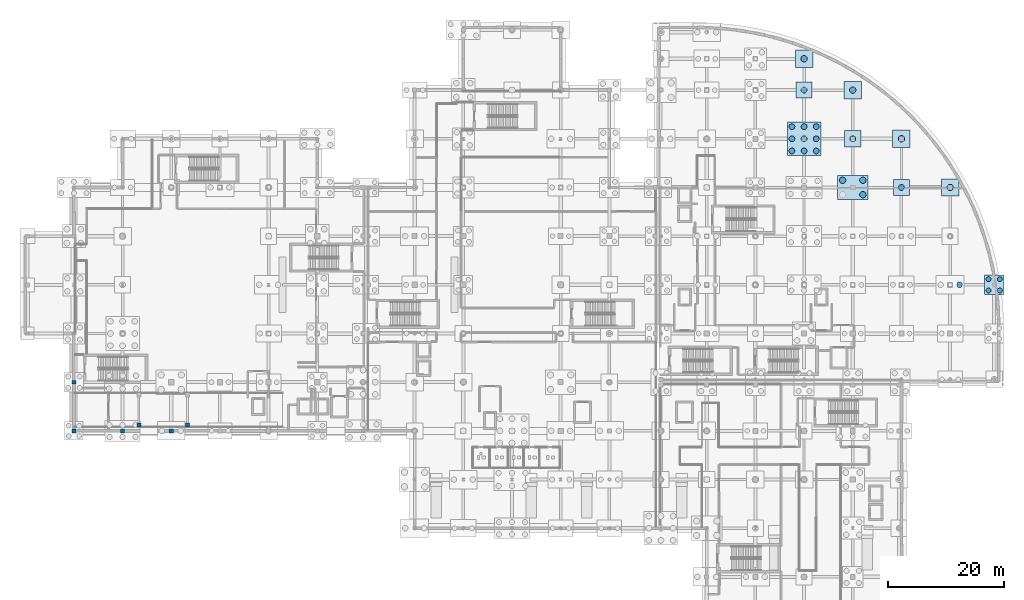
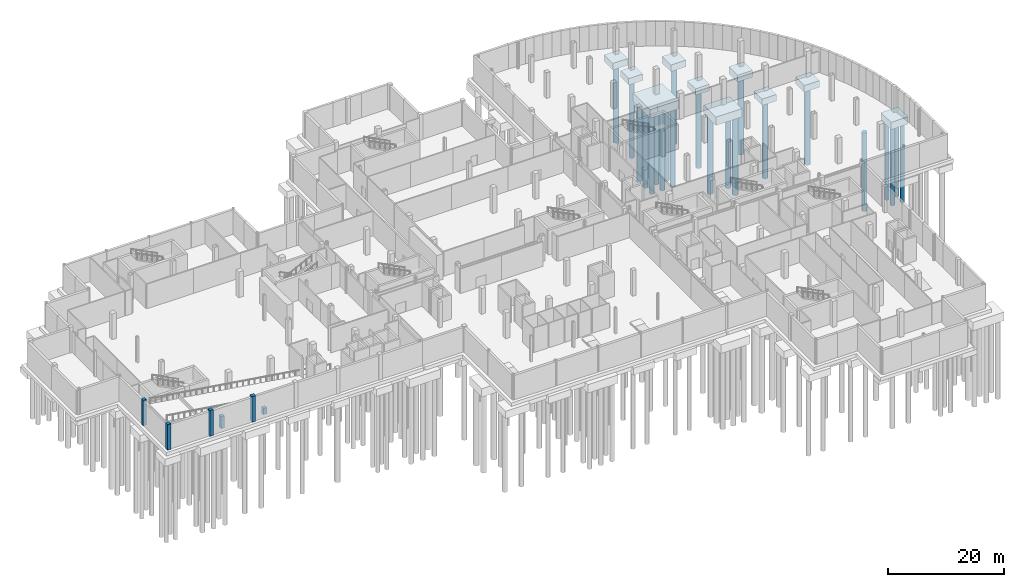
# One storey, part 5 of 49: 24 piles, 10 footings, 6 columns.
"""IFC4 building model written with IfcOpenShell, lengths in metres."""

import ifcopenshell
import ifcopenshell.guid

model = None  # the IFC model being written
_history = None  # IfcOwnerHistory: only IFC2X3 demands one
_inside = {}  # id of a spatial element -> (the spatial element, [elements in it])
_under = {}  # id of a project, library or spatial element -> (it, [spatial elements below it])
_declared = {}  # id of a project -> (the project, [libraries it declares])
_typed = {}  # id of a type object -> (the type object, [elements of that type])
_made_of = {}  # id of a material, layer set ... -> (it, [elements and type objects made of it])


def new_model(schema):
    """Start an empty IFC model of exactly this schema.

    Asked for "IFC4X3", IfcOpenShell would pick the latest addendum, in which some entities
    have other attributes; the version numbers below select the first issue.
    IFC2X3 requires an IfcOwnerHistory on every rooted entity: one is made here for all.
    """
    global model, _history
    if schema == "IFC4X3":
        model = ifcopenshell.file(schema_version=(4, 3, 0, 0))
    else:
        model = ifcopenshell.file(schema=schema)
    _inside.clear()
    _under.clear()
    _declared.clear()
    _typed.clear()
    _made_of.clear()
    _history = None
    if model.schema == "IFC2X3":
        org = make("IfcOrganization", Name="unknown")
        user = make(
            "IfcPersonAndOrganization",
            ThePerson=make("IfcPerson", FamilyName="unknown"),
            TheOrganization=org,
        )
        app = make(
            "IfcApplication",
            ApplicationDeveloper=org,
            Version="unknown",
            ApplicationFullName="unknown",
            ApplicationIdentifier="unknown",
        )
        _history = make(
            "IfcOwnerHistory",
            OwningUser=user,
            OwningApplication=app,
            ChangeAction="ADDED",
            CreationDate=0,
        )
    return model


def make(cls, **values):
    """One entity of the class cls with the attributes given. An attribute that is None is left unset."""
    return model.create_entity(
        cls, **{name: value for name, value in values.items() if value is not None}
    )


def rooted(cls, **values):
    """An entity with a GlobalId (a new one), such as an element, a storey or a relation."""
    return make(cls, GlobalId=ifcopenshell.guid.new(), OwnerHistory=_history, **values)


def si_unit(unit_type, name, prefix=None):
    """IfcSIUnit, for example si_unit("LENGTHUNIT", "METRE", prefix="MILLI")."""
    return make("IfcSIUnit", UnitType=unit_type, Prefix=prefix, Name=name)


def assignment(units):
    """IfcUnitAssignment: the units of a project."""
    return None if units is None else make("IfcUnitAssignment", Units=units)


def point(xyz):
    """IfcCartesianPoint."""
    return None if xyz is None else make("IfcCartesianPoint", Coordinates=xyz)


def direction(xyz):
    """IfcDirection."""
    return None if xyz is None else make("IfcDirection", DirectionRatios=xyz)


def frame(location, z_axis=None, x_axis=None):
    """IfcAxis2Placement3D, a coordinate frame: its origin and axes. An axis left out is left unset."""
    return make(
        "IfcAxis2Placement3D",
        Location=point(location),
        Axis=direction(z_axis),
        RefDirection=direction(x_axis),
    )


def frame_2d(location, x_axis=None):
    """IfcAxis2Placement2D, a coordinate frame in the plane: its origin and x axis."""
    return make(
        "IfcAxis2Placement2D", Location=point(location), RefDirection=direction(x_axis)
    )


def origin():
    """The frame at (0, 0, 0) with its axes left unset."""
    return frame((0.0, 0.0, 0.0))


def origin_2d():
    """The frame at (0, 0) in the plane with its x axis left unset."""
    return frame_2d((0.0, 0.0))


def place(relative_to, where):
    """IfcLocalPlacement: puts the frame where relative to a parent placement (None: the world)."""
    return make(
        "IfcLocalPlacement", PlacementRelTo=relative_to, RelativePlacement=where
    )


def context(
    kind, dimensions, precision=None, world=None, true_north=None, identifier=None
):
    """IfcGeometricRepresentationContext, for example the 3D "Model" context."""
    return make(
        "IfcGeometricRepresentationContext",
        ContextIdentifier=identifier,
        ContextType=kind,
        CoordinateSpaceDimension=dimensions,
        Precision=precision,
        WorldCoordinateSystem=world,
        TrueNorth=true_north,
    )


def subcontext(parent, identifier, kind, view, scale=None):
    """IfcGeometricRepresentationSubContext, for example "Body" below "Model"."""
    return make(
        "IfcGeometricRepresentationSubContext",
        ContextIdentifier=identifier,
        ContextType=kind,
        ParentContext=parent,
        TargetScale=scale,
        TargetView=view,
    )


def project(units=None, contexts=None):
    """IfcProject with its units and contexts."""
    return rooted(
        "IfcProject",
        Name="project",
        RepresentationContexts=contexts,
        UnitsInContext=assignment(units),
    )


def spatial(cls, under=None, at=None, **own):
    """A site, building, storey or space (cls), placed at a placement, below another one or the project."""
    s = rooted(cls, ObjectPlacement=at, **own)
    if under is not None:
        _under.setdefault(under.id(), (under, []))[1].append(s)
    return s


def profile(cls, at=None, kind="AREA", **sizes):
    """A parametric profile (cls). Its sizes go by their IFC names, for example OverallWidth=200.0."""
    return make(cls, ProfileType=kind, Position=at, **sizes)


def rectangle(**sizes):
    """IfcRectangleProfileDef."""
    return profile("IfcRectangleProfileDef", **sizes)


def circle(**sizes):
    """IfcCircleProfileDef."""
    return profile("IfcCircleProfileDef", **sizes)


def extrude(swept, where, along, depth):
    """IfcExtrudedAreaSolid: the profile swept, set in the frame where, extruded along a direction by depth."""
    return make(
        "IfcExtrudedAreaSolid",
        SweptArea=swept,
        Position=where,
        ExtrudedDirection=direction(along),
        Depth=depth,
    )


def shape(context_of_items, identifier, shape_type, items):
    """IfcShapeRepresentation: the items that make up one representation, for example the "Body"."""
    return make(
        "IfcShapeRepresentation",
        ContextOfItems=context_of_items,
        RepresentationIdentifier=identifier,
        RepresentationType=shape_type,
        Items=items,
    )


def material(Name=None, Category=None):
    """IfcMaterial."""
    return make("IfcMaterial", Name=Name, Category=Category)


def material_profile(
    of_material, cross_section, Name=None, Category=None, Priority=None
):
    """IfcMaterialProfile: a cross section and its material."""
    return make(
        "IfcMaterialProfile",
        Name=Name,
        Material=of_material,
        Profile=cross_section,
        Priority=Priority,
        Category=Category,
    )


def profile_set(profiles, Name=None, composite=None):
    """IfcMaterialProfileSet."""
    return make(
        "IfcMaterialProfileSet",
        Name=Name,
        MaterialProfiles=profiles,
        CompositeProfile=composite,
    )


def made_of(thing, what):
    """Note that an element or type object is made of a material, layer set ...; save() writes the relation."""
    if what is not None:
        _made_of.setdefault(what.id(), (what, []))[1].append(thing)
    return thing


def type_object(cls, material=None, **own):
    """A type object (cls), such as IfcWallType, which elements share."""
    return made_of(rooted(cls, **own), material)


def element(
    cls,
    number,
    at=None,
    inside=None,
    cuts=None,
    type_object=None,
    material=None,
    context=None,
    identifier="Body",
    shape_type=None,
    held_by="IfcProductDefinitionShape",
    body=None,
    shapes=None,
    **own,
):
    """One element of the class cls, such as IfcWall. Its Tag is "e" and its number.

    at: its placement. inside: the storey or other place that contains it. cuts: it is an
    opening in that element (IfcRelVoidsElement). A single representation is given by context,
    identifier, shape_type and body (its items); several are given by shapes. held_by: the class
    of the entity that holds the representations. save() writes the other relations.
    """
    e = rooted(cls, Tag="e%d" % number, ObjectPlacement=at, **own)
    if body is not None:
        shapes = [shape(context, identifier, shape_type, body)]
    if shapes is not None:
        e.Representation = make(held_by, Representations=shapes)
    if inside is not None:
        _inside.setdefault(inside.id(), (inside, []))[1].append(e)
    if cuts is not None:
        rooted(
            "IfcRelVoidsElement", RelatingBuildingElement=cuts, RelatedOpeningElement=e
        )
    if type_object is not None:
        _typed.setdefault(type_object.id(), (type_object, []))[1].append(e)
    return made_of(e, material)


def aggregate(whole, parts):
    """IfcRelAggregates: a whole, such as a stair, and the parts it consists of."""
    return rooted("IfcRelAggregates", RelatingObject=whole, RelatedObjects=parts)


def save(model, path):
    """Write the relations noted so far, then the file.

    IfcRelAggregates (storeys below a building ...), IfcRelContainedInSpatialStructure (elements
    in a storey), IfcRelDefinesByType, IfcRelAssociatesMaterial and IfcRelDeclares: one each for
    every whole, place, type object, material and project.
    """
    for whole, parts in _under.values():
        aggregate(whole, parts)
    for where, things in _inside.values():
        rooted(
            "IfcRelContainedInSpatialStructure",
            RelatedElements=things,
            RelatingStructure=where,
        )
    for kind, things in _typed.values():
        rooted("IfcRelDefinesByType", RelatedObjects=things, RelatingType=kind)
    for what, things in _made_of.values():
        rooted("IfcRelAssociatesMaterial", RelatedObjects=things, RelatingMaterial=what)
    for by, libraries in _declared.values():
        rooted("IfcRelDeclares", RelatingContext=by, RelatedDefinitions=libraries)
    model.write(path)


model = new_model("IFC4")

# Units and contexts
model_context = context("Model", 3, precision=1e-05, world=origin(), true_north=direction((0.0, 1.0)))
body_context = subcontext(model_context, "Body", "Model", "MODEL_VIEW")
ifc_project = project(units=[si_unit("LENGTHUNIT", "METRE"), si_unit("AREAUNIT", "SQUARE_METRE"), si_unit("VOLUMEUNIT", "CUBIC_METRE"), si_unit("PLANEANGLEUNIT", "RADIAN"), si_unit("MASSUNIT", "GRAM", prefix="KILO"), si_unit("THERMODYNAMICTEMPERATUREUNIT", "KELVIN")], contexts=[model_context])

# Site, building, storey
site_placement = place(None, origin())
site = spatial("IfcSite", under=ifc_project, at=site_placement, CompositionType="ELEMENT")
building_placement = place(site_placement, origin())
building = spatial("IfcBuilding", under=site, at=building_placement, Name="Lustrewick Department Store", CompositionType="ELEMENT")
storey_placement = place(building_placement, frame((0.0, 0.0, -5.39990234375)))
storey = spatial("IfcBuildingStorey", under=building, at=storey_placement, Name="B1", CompositionType="ELEMENT", Elevation=-5.39990234375)

# Piles
ifc_material = material(Name="Concrete C40", Category="concrete")
ifc_material_profile_1 = material_profile(ifc_material, circle(Radius=0.425048828125, at=origin_2d()), Name="PILE D850")
ifc_profile_set_1 = profile_set([ifc_material_profile_1], Name="Concrete C40")
pile_type_1 = type_object("IfcPileType", Name="P02", PredefinedType="BORED", material=ifc_profile_set_1)
for number, where, z_axis, x_axis, name in (
    (1, (166.22509765625, 66.22509765625, -2.150146484375), (0.0, 0.0, -1.0), (1.0, 0.0, 0.0), "Bored Pile P02 0483"),
    (2, (166.22509765625, 68.175048828125, -2.150146484375), (0.0, 0.0, -1.0), (1.0, 0.0, 0.0), "Bored Pile P02 0484"),
    (3, (168.175048828125, 66.22509765625, -2.150146484375), (0.0, 0.0, -1.0), (1.0, 0.0, 0.0), "Bored Pile P02 0485"),
    (4, (168.175048828125, 68.175048828125, -2.150146484375), (0.0, 0.0, -1.0), (1.0, 0.0, 0.0), "Bored Pile P02 0486"),
):
    element("IfcPile", number, at=place(storey_placement, frame(where, z_axis=z_axis, x_axis=x_axis)), inside=storey, type_object=pile_type_1, Name=name, PredefinedType="BORED", context=body_context, shape_type="SweptSolid", body=[
        extrude(circle(Radius=0.425048828125, at=origin_2d()), origin(), (0.0, 0.0, 1.0), 16.5),
    ])
ifc_material_profile_2 = material_profile(ifc_material, circle(Radius=0.47509765625, at=origin_2d()), Name="PILE D950")
ifc_profile_set_2 = profile_set([ifc_material_profile_2], Name="Concrete C40")
pile_type_2 = type_object("IfcPileType", Name="P04", PredefinedType="BORED", material=ifc_profile_set_2)
pile_placement = place(storey_placement, frame((161.22509765625, 67.199951171875, -2.150146484375), z_axis=(0.0, 0.0, -1.0), x_axis=(1.0, 0.0, 0.0)))
element("IfcPile", 5, at=pile_placement, inside=storey, type_object=pile_type_2, Name="Bored Pile P04 0475", PredefinedType="BORED", context=body_context, shape_type="SweptSolid", body=[
    extrude(circle(Radius=0.47509765625, at=origin_2d()), origin(), (0.0, 0.0, 1.0), 16.5),
])
ifc_material_profile_3 = material_profile(ifc_material, circle(Radius=0.5, at=origin_2d()), Name="PILE D1000")
ifc_profile_set_3 = profile_set([ifc_material_profile_3], Name="Concrete C40")
pile_type_3 = type_object("IfcPileType", Name="P05", PredefinedType="BORED", material=ifc_profile_set_3)
for number, where, z_axis, x_axis, name in (
    (6, (132.300048828125, 90.300048828125, -2.400146484375), (0.0, 0.0, -1.0), (1.0, 0.0, 0.0), "Bored Pile P05 0439"),
    (7, (132.300048828125, 92.39990234375, -2.400146484375), (0.0, 0.0, -1.0), (1.0, 0.0, 0.0), "Bored Pile P05 0440"),
    (8, (132.300048828125, 94.5, -2.400146484375), (0.0, 0.0, -1.0), (1.0, 0.0, 0.0), "Bored Pile P05 0441"),
    (9, (134.39990234375, 90.300048828125, -2.400146484375), (0.0, 0.0, -1.0), (1.0, 0.0, 0.0), "Bored Pile P05 0442"),
    (10, (134.39990234375, 92.39990234375, -2.400146484375), (0.0, 0.0, -1.0), (1.0, 0.0, 0.0), "Bored Pile P05 0443"),
    (11, (134.39990234375, 94.5, -2.400146484375), (0.0, 0.0, -1.0), (1.0, 0.0, 0.0), "Bored Pile P05 0444"),
    (12, (136.5, 90.300048828125, -2.400146484375), (0.0, 0.0, -1.0), (1.0, 0.0, 0.0), "Bored Pile P05 0445"),
    (13, (136.5, 92.39990234375, -2.400146484375), (0.0, 0.0, -1.0), (1.0, 0.0, 0.0), "Bored Pile P05 0446"),
    (14, (136.5, 94.5, -2.400146484375), (0.0, 0.0, -1.0), (1.0, 0.0, 0.0), "Bored Pile P05 0447"),
    (15, (134.39990234375, 100.800048828125, -1.9501953125), (0.0, 0.0, -1.0), (1.0, 0.0, 0.0), "Bored Pile P05 0448"),
    (16, (142.800048828125, 92.39990234375, -1.9501953125), (0.0, 0.0, -1.0), (1.0, 0.0, 0.0), "Bored Pile P05 0460"),
    (17, (151.199951171875, 84.0, -1.9501953125), (0.0, 0.0, -1.0), (1.0, 0.0, 0.0), "Bored Pile P05 0468"),
):
    element("IfcPile", number, at=place(storey_placement, frame(where, z_axis=z_axis, x_axis=x_axis)), inside=storey, type_object=pile_type_3, Name=name, PredefinedType="BORED", context=body_context, shape_type="SweptSolid", body=[
        extrude(circle(Radius=0.5, at=origin_2d()), origin(), (0.0, 0.0, 1.0), 16.5),
    ])
ifc_material_profile_4 = material_profile(ifc_material, circle(Radius=0.550048828125, at=origin_2d()), Name="PILE D1100")
ifc_profile_set_4 = profile_set([ifc_material_profile_4], Name="Concrete C40")
pile_type_4 = type_object("IfcPileType", Name="P06", PredefinedType="BORED", material=ifc_profile_set_4)
for number, where, z_axis, x_axis, name in (
    (18, (134.39990234375, 106.199951171875, -2.0), (0.0, 0.0, -1.0), (1.0, 0.0, 0.0), "Bored Pile P06 0449"),
    (19, (141.050048828125, 85.25, -2.35009765625), (0.0, 0.0, -1.0), (1.0, 0.0, 0.0), "Bored Pile P06 0457"),
    (20, (144.550048828125, 82.75, -2.35009765625), (0.0, 0.0, -1.0), (1.0, 0.0, 0.0), "Bored Pile P06 0458"),
    (21, (144.550048828125, 85.25, -2.35009765625), (0.0, 0.0, -1.0), (1.0, 0.0, 0.0), "Bored Pile P06 0459"),
    (22, (142.800048828125, 100.800048828125, -2.0), (0.0, 0.0, -1.0), (1.0, 0.0, 0.0), "Bored Pile P06 0461"),
    (23, (151.199951171875, 92.39990234375, -2.0), (0.0, 0.0, -1.0), (1.0, 0.0, 0.0), "Bored Pile P06 0469"),
    (24, (159.60009765625, 84.0, -2.0), (0.0, 0.0, -1.0), (1.0, 0.0, 0.0), "Bored Pile P06 0477"),
):
    element("IfcPile", number, at=place(storey_placement, frame(where, z_axis=z_axis, x_axis=x_axis)), inside=storey, type_object=pile_type_4, Name=name, PredefinedType="BORED", context=body_context, shape_type="SweptSolid", body=[
        extrude(circle(Radius=0.550048828125, at=origin_2d()), origin(), (0.0, 0.0, 1.0), 16.5),
    ])

# Footings
footing_type_1 = type_object("IfcFootingType", Name="PC02", PredefinedType="PILE_CAP", material=ifc_material)
footing_1_placement = place(storey_placement, frame((167.199951171875, 67.199951171875, -2.25), z_axis=(0.0, 0.0, 1.0), x_axis=(1.0, 0.0, 0.0)))
element("IfcFooting", 25, at=footing_1_placement, inside=storey, type_object=footing_type_1, Name="Pile Cap PC02 170", PredefinedType="PILE_CAP", context=body_context, shape_type="SweptSolid", body=[
    extrude(rectangle(XDim=3.39990234375, YDim=3.39990234375, at=origin_2d()), origin(), (0.0, 0.0, 1.0), 1.550048828125),
])
footing_type_2 = type_object("IfcFootingType", Name="PC12", PredefinedType="PILE_CAP", material=ifc_material)
footing_2_placement = place(storey_placement, frame((134.39990234375, 92.39990234375, -2.5), z_axis=(0.0, 0.0, 1.0), x_axis=(1.0, 0.0, 0.0)))
element("IfcFooting", 26, at=footing_2_placement, inside=storey, type_object=footing_type_2, Name="Pile Cap PC12 149", PredefinedType="PILE_CAP", context=body_context, shape_type="SweptSolid", body=[
    extrude(rectangle(XDim=5.800048828125, YDim=5.800048828125, at=origin_2d()), origin(), (0.0, 0.0, 1.0), 1.800048828125),
])
footing_type_3 = type_object("IfcFootingType", Name="PC13", PredefinedType="PILE_CAP", material=ifc_material)
for number, where, z_axis, x_axis, name in (
    (27, (134.39990234375, 100.800048828125, -2.050048828125), (0.0, 0.0, 1.0), (1.0, 0.0, 0.0), "Pile Cap PC13 150"),
    (28, (142.800048828125, 92.39990234375, -2.050048828125), (0.0, 0.0, 1.0), (1.0, 0.0, 0.0), "Pile Cap PC13 156"),
    (29, (151.199951171875, 84.0, -2.050048828125), (0.0, 0.0, 1.0), (1.0, 0.0, 0.0), "Pile Cap PC13 161"),
):
    element("IfcFooting", number, at=place(storey_placement, frame(where, z_axis=z_axis, x_axis=x_axis)), inside=storey, type_object=footing_type_3, Name=name, PredefinedType="PILE_CAP", context=body_context, shape_type="SweptSolid", body=[
        extrude(rectangle(XDim=2.800048828125, YDim=2.800048828125, at=origin_2d()), origin(), (0.0, 0.0, 1.0), 1.35009765625),
    ])
footing_type_4 = type_object("IfcFootingType", Name="PC14", PredefinedType="PILE_CAP", material=ifc_material)
for number, where, z_axis, x_axis, name in (
    (30, (134.39990234375, 106.199951171875, -2.10009765625), (0.0, 0.0, 1.0), (1.0, 0.0, 0.0), "Pile Cap PC14 151"),
    (31, (142.800048828125, 100.800048828125, -2.10009765625), (0.0, 0.0, 1.0), (1.0, 0.0, 0.0), "Pile Cap PC14 157"),
    (32, (151.199951171875, 92.39990234375, -2.10009765625), (0.0, 0.0, 1.0), (1.0, 0.0, 0.0), "Pile Cap PC14 162"),
    (33, (159.60009765625, 84.0, -2.10009765625), (0.0, 0.0, 1.0), (1.0, 0.0, 0.0), "Pile Cap PC14 167"),
):
    element("IfcFooting", number, at=place(storey_placement, frame(where, z_axis=z_axis, x_axis=x_axis)), inside=storey, type_object=footing_type_4, Name=name, PredefinedType="PILE_CAP", context=body_context, shape_type="SweptSolid", body=[
        extrude(rectangle(XDim=3.0, YDim=3.0, at=origin_2d()), origin(), (0.0, 0.0, 1.0), 1.39990234375),
    ])
footing_type_5 = type_object("IfcFootingType", Name="PC18", PredefinedType="PILE_CAP", material=ifc_material)
footing_3_placement = place(storey_placement, frame((142.800048828125, 84.0, -2.4501953125), z_axis=(0.0, 0.0, 1.0), x_axis=(1.0, 0.0, 0.0)))
element("IfcFooting", 34, at=footing_3_placement, inside=storey, type_object=footing_type_5, Name="Pile Cap PC18 155", PredefinedType="PILE_CAP", context=body_context, shape_type="SweptSolid", body=[
    extrude(rectangle(XDim=5.199951171875, YDim=4.199951171875, at=origin_2d()), origin(), (0.0, 0.0, 1.0), 1.75),
])

# Columns
ifc_material_profile_5 = material_profile(ifc_material, rectangle(XDim=0.699951171875, YDim=0.699951171875, at=origin_2d()), Name="RC 700x700")
ifc_profile_set_5 = profile_set([ifc_material_profile_5], Name="Concrete C40")
column_type_1 = type_object("IfcColumnType", Name="CE06", PredefinedType="COLUMN", material=ifc_profile_set_5)
for number, where, z_axis, x_axis, name in (
    (35, (8.39990234375, 42.0, 0.0), (0.0, 0.0, 1.0), (1.0, 0.0, 0.0), "B1 V1 Column CE06"),
    (36, (16.800048828125, 42.0, 0.0), (0.0, 0.0, 1.0), (1.0, 0.0, 0.0), "B1 V1 Column CE06"),
    (37, (25.199951171875, 42.0, 0.0), (0.0, 0.0, 1.0), (1.0, 0.0, 0.0), "B1 V1 Column CE06"),
):
    element("IfcColumn", number, at=place(storey_placement, frame(where, z_axis=z_axis, x_axis=x_axis)), inside=storey, type_object=column_type_1, Name=name, PredefinedType="COLUMN", context=body_context, shape_type="SweptSolid", body=[
        extrude(rectangle(XDim=0.699951171875, YDim=0.699951171875, at=origin_2d()), origin(), (0.0, 0.0, 1.0), 5.39990234375),
    ])
column_1_placement = place(storey_placement, frame((19.60009765625, 43.0, 0.0), z_axis=(0.0, 0.0, 1.0), x_axis=(1.0, 0.0, 0.0)))
element("IfcColumn", 38, at=column_1_placement, inside=storey, type_object=column_type_1, Name="B1 Vehicle Ramp Support Pier 1S", PredefinedType="COLUMN", context=body_context, shape_type="SweptSolid", body=[
    extrude(rectangle(XDim=0.699951171875, YDim=0.699951171875, at=origin_2d()), origin(), (0.0, 0.0, 1.0), 2.552978515625),
])
column_2_placement = place(storey_placement, frame((28.0, 43.0, 0.0), z_axis=(0.0, 0.0, 1.0), x_axis=(1.0, 0.0, 0.0)))
element("IfcColumn", 39, at=column_2_placement, inside=storey, type_object=column_type_1, Name="B1 Vehicle Ramp Support Pier 2S", PredefinedType="COLUMN", context=body_context, shape_type="SweptSolid", body=[
    extrude(rectangle(XDim=0.699951171875, YDim=0.699951171875, at=origin_2d()), origin(), (0.0, 0.0, 1.0), 1.29296875),
])
ifc_material_profile_6 = material_profile(ifc_material, rectangle(XDim=0.64990234375, YDim=0.64990234375, at=origin_2d()), Name="RC 650x650")
ifc_profile_set_6 = profile_set([ifc_material_profile_6], Name="Concrete C40")
column_type_2 = type_object("IfcColumnType", Name="CE07", PredefinedType="COLUMN", material=ifc_profile_set_6)
column_3_placement = place(storey_placement, frame((8.39990234375, 50.39990234375, 0.0), z_axis=(0.0, 0.0, 1.0), x_axis=(1.0, 0.0, 0.0)))
element("IfcColumn", 40, at=column_3_placement, inside=storey, type_object=column_type_2, Name="B1 V1 Column CE07", PredefinedType="COLUMN", context=body_context, shape_type="SweptSolid", body=[
    extrude(rectangle(XDim=0.64990234375, YDim=0.64990234375, at=origin_2d()), origin(), (0.0, 0.0, 1.0), 5.39990234375),
])

save(model, "model.ifc")
